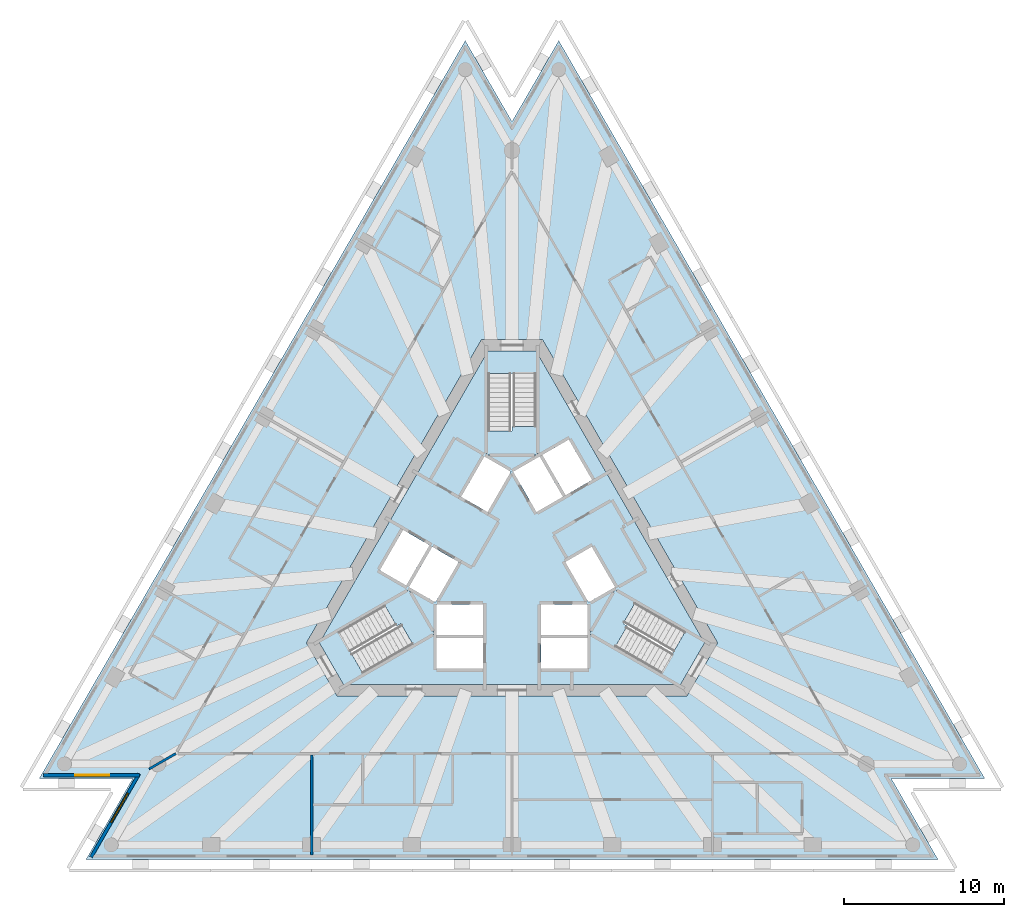
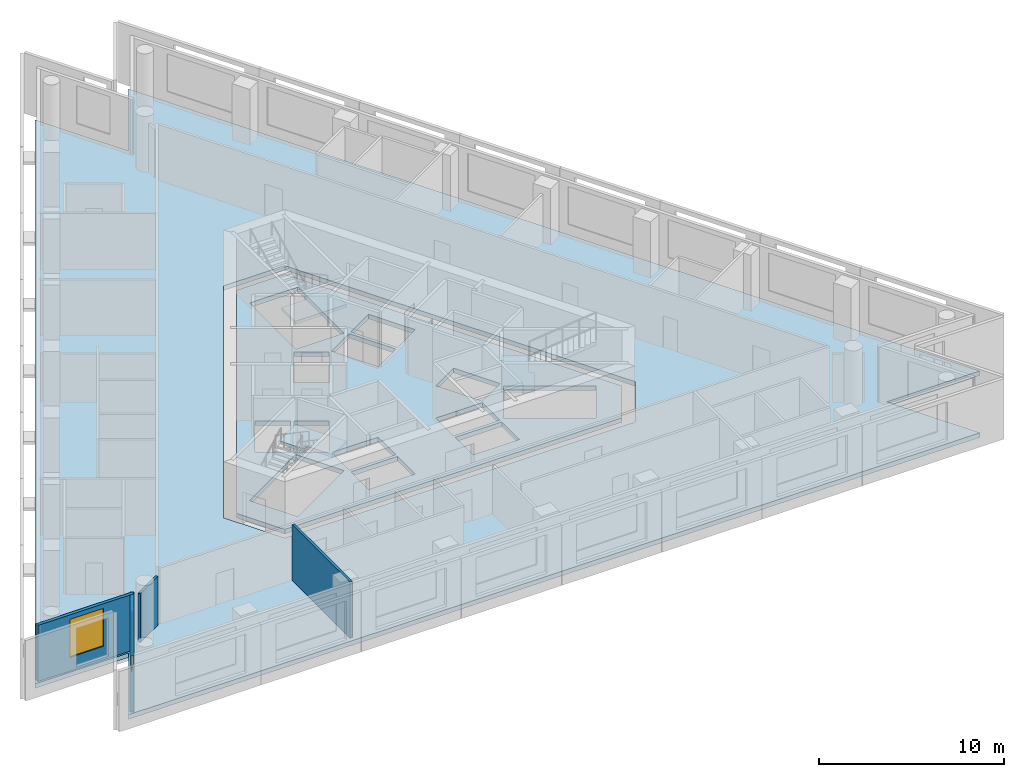
# One storey, part 2 of 10: 5 slabs, 4 walls, 2 windows, 2 openings, 3 elements without a shape of their own.
"""IFC4 building model written with IfcOpenShell, lengths in metres."""

from ifc_helpers import new_model, si_unit, direction, frame, frame_2d, origin, place, context, subcontext, project, spatial, polyline, rectangle, outline, extrude, material, layer, layer_set, layer_usage, type_object, element, fill, aggregate, save


model = new_model("IFC4")

# Units and contexts
model_context = context("Model", 3, precision=1e-05, world=origin(), true_north=direction((0.0, 1.0)))
body_context = subcontext(model_context, "Body", "Model", "MODEL_VIEW")
ifc_project = project(units=[si_unit("LENGTHUNIT", "METRE"), si_unit("AREAUNIT", "SQUARE_METRE"), si_unit("VOLUMEUNIT", "CUBIC_METRE"), si_unit("PLANEANGLEUNIT", "RADIAN"), si_unit("MASSUNIT", "GRAM", prefix="KILO")], contexts=[model_context])

# Site, building, storey
site_placement = place(None, origin())
site = spatial("IfcSite", under=ifc_project, at=site_placement, CompositionType="ELEMENT")
building_placement = place(site_placement, origin())
building = spatial("IfcBuilding", under=site, at=building_placement, Name="Triada Interchange Tower", CompositionType="ELEMENT")
storey_placement = place(building_placement, frame((0.0, 0.0, 191.300048828125)))
storey = spatial("IfcBuildingStorey", under=building, at=storey_placement, Name="L44", CompositionType="ELEMENT", Elevation=191.300048828125)

# Slabs
ifc_material_1 = material(Name="Concrete C50/60", Category="concrete")
ifc_layer_1 = layer(ifc_material_1, 0.300048828125)
ifc_layer_set_1 = layer_set([ifc_layer_1], Name="Floor slab 300")
slab_type_1 = type_object("IfcSlabType", Name="Floor slab 300", PredefinedType="FLOOR", material=ifc_layer_set_1)
slab_1_placement = place(storey_placement, frame((0.0, 0.0, -0.300048828125)))
element("IfcSlab", 1, at=slab_1_placement, inside=storey, type_object=slab_type_1, Name="Floor slab L44", PredefinedType="FLOOR", context=body_context, shape_type="SweptSolid", body=[
    extrude(outline(polyline([(-2.9140625, 32.342041015625), (-29.466064453125, -13.64697265625), (-23.637939453125, -13.64697265625), (-26.552001953125, -18.695068359375), (26.552001953125, -18.695068359375), (23.637939453125, -13.64697265625), (29.466064453125, -13.64697265625), (2.9140625, 32.342041015625), (0.0, 27.294921875), (-2.9140625, 32.342041015625)]), holes=[polyline([(1.905029296875, 13.699951171875), (-1.905029296875, 13.699951171875), (-12.81689453125, -5.199951171875), (-10.912109375, -8.5), (10.912109375, -8.5), (12.81689453125, -5.199951171875), (1.905029296875, 13.699951171875)])]), origin(), (0.0, 0.0, 1.0), 0.300048828125),
])
slab_2_placement = place(storey_placement, frame((0.0, 0.0, -0.300048828125)))
element("IfcSlab", 2, at=slab_2_placement, inside=storey, type_object=slab_type_1, Name="Core floor slab L44 1", PredefinedType="FLOOR", context=body_context, shape_type="SweptSolid", body=[
    extrude(outline(polyline([(12.009033203125, -5.199951171875), (10.508056640625, -7.800048828125), (-10.508056640625, -7.800048828125), (-12.009033203125, -5.199951171875), (-1.5009765625, 13.0), (1.5009765625, 13.0), (12.009033203125, -5.199951171875)]), holes=[polyline([(9.2958984375, -7.09912109375), (10.7958984375, -4.5009765625), (6.466064453125, -2.0009765625), (4.966064453125, -4.59912109375), (9.2958984375, -7.09912109375)]), polyline([(4.77490234375, -2.669921875), (6.419921875, -1.719970703125), (4.969970703125, 0.791015625), (4.137939453125, 0.31103515625), (3.324951171875, -0.158935546875), (4.77490234375, -2.669921875)]), polyline([(1.89404296875, 6.52001953125), (3.343994140625, 4.009033203125), (4.989013671875, 4.958984375), (3.5390625, 7.469970703125), (1.89404296875, 6.52001953125)]), polyline([(1.800048828125, -4.89990234375), (1.800048828125, -6.4990234375), (1.800048828125, -6.800048828125), (4.699951171875, -6.800048828125), (4.699951171875, -4.89990234375), (1.800048828125, -4.89990234375)]), polyline([(4.699951171875, -2.800048828125), (1.800048828125, -2.800048828125), (1.800048828125, -4.699951171875), (4.699951171875, -4.699951171875), (4.699951171875, -2.800048828125)]), polyline([(0.074951171875, 5.469970703125), (1.52490234375, 2.958984375), (3.169921875, 3.908935546875), (1.719970703125, 6.419921875), (0.074951171875, 5.469970703125)]), polyline([(-1.5, 11.60009765625), (-1.5, 6.60009765625), (1.5, 6.60009765625), (1.5, 11.60009765625), (-1.5, 11.60009765625)]), polyline([(-1.52490234375, 2.958984375), (-0.074951171875, 5.469970703125), (-1.719970703125, 6.419921875), (-3.169921875, 3.908935546875), (-1.52490234375, 2.958984375)]), polyline([(-1.800048828125, -2.800048828125), (-4.699951171875, -2.800048828125), (-4.699951171875, -4.699951171875), (-1.800048828125, -4.699951171875), (-1.800048828125, -2.800048828125)]), polyline([(-4.699951171875, -6.800048828125), (-1.800048828125, -6.800048828125), (-1.800048828125, -6.4990234375), (-1.800048828125, -4.89990234375), (-4.699951171875, -4.89990234375), (-4.699951171875, -6.800048828125)]), polyline([(-3.367919921875, -0.134033203125), (-4.969970703125, 0.791015625), (-6.419921875, -1.719970703125), (-4.77490234375, -2.669921875), (-3.324951171875, -0.158935546875), (-3.367919921875, -0.134033203125)]), polyline([(-10.7958984375, -4.5009765625), (-9.2958984375, -7.09912109375), (-4.966064453125, -4.59912109375), (-6.466064453125, -2.0009765625), (-10.7958984375, -4.5009765625)]), polyline([(-6.593994140625, -1.6201171875), (-5.14404296875, 0.89111328125), (-6.7890625, 1.841064453125), (-8.239013671875, -0.669921875), (-6.593994140625, -1.6201171875)])]), origin(), (0.0, 0.0, 1.0), 0.300048828125),
])

# Stair, slab
ifc_material_2 = material(Name="Concrete C35/45", Category="concrete")
stair_type = type_object("IfcStairType", Name="HALF TURN STAIR 1400", PredefinedType="HALF_TURN_STAIR", material=ifc_material_2)
stair_1_placement = place(storey_placement, origin())
stair_1 = element("IfcStair", 3, at=stair_1_placement, inside=storey, type_object=stair_type, Name="Exit stair S44-1", PredefinedType="HALF_TURN_STAIR")
ifc_layer_2 = layer(ifc_material_2, 0.199951171875)
ifc_layer_set_2 = layer_set([ifc_layer_2], Name="STAIR LANDING 200")
slab_type_2 = type_object("IfcSlabType", Name="STAIR LANDING 200", PredefinedType="LANDING", material=ifc_layer_set_2)
slab_3_placement = place(storey_placement, frame((0.0, 0.0, 1.719970703125)))
slab_3 = element("IfcSlab", 4, at=slab_3_placement, type_object=slab_type_2, Name="S44-1 landing 1", PredefinedType="LANDING", context=body_context, shape_type="SweptSolid", body=[
    extrude(outline(polyline([(1.60009765625, 6.5), (1.60009765625, 8.300048828125), (0.0, 8.300048828125), (0.0, 8.0), (-1.60009765625, 8.0), (-1.60009765625, 6.5), (1.60009765625, 6.5)])), origin(), (0.0, 0.0, 1.0), 0.199951171875),
])
aggregate(stair_1, [slab_3])

stair_2_placement = place(storey_placement, origin())
stair_2 = element("IfcStair", 5, at=stair_2_placement, inside=storey, type_object=stair_type, Name="Exit stair S44-2", PredefinedType="HALF_TURN_STAIR")
slab_4_placement = place(storey_placement, frame((0.0, 0.0, 1.719970703125)))
slab_4 = element("IfcSlab", 6, at=slab_4_placement, type_object=slab_type_2, Name="S44-2 landing 1", PredefinedType="LANDING", context=body_context, shape_type="SweptSolid", body=[
    extrude(outline(polyline([(-6.428955078125, -1.864013671875), (-7.988037109375, -2.763916015625), (-7.18798828125, -4.14990234375), (-6.927978515625, -4.0), (-6.1279296875, -5.385986328125), (-4.8291015625, -4.635986328125), (-6.428955078125, -1.864013671875)])), origin(), (0.0, 0.0, 1.0), 0.199951171875),
])
aggregate(stair_2, [slab_4])

stair_3_placement = place(storey_placement, origin())
stair_3 = element("IfcStair", 7, at=stair_3_placement, inside=storey, type_object=stair_type, Name="Exit stair S44-3", PredefinedType="HALF_TURN_STAIR")
slab_5_placement = place(storey_placement, frame((0.0, 0.0, 1.719970703125)))
slab_5 = element("IfcSlab", 8, at=slab_5_placement, type_object=slab_type_2, Name="S44-3 landing 1", PredefinedType="LANDING", context=body_context, shape_type="SweptSolid", body=[
    extrude(outline(polyline([(4.8291015625, -4.635986328125), (6.387939453125, -5.535888671875), (7.18798828125, -4.14990234375), (6.927978515625, -4.0), (7.72802734375, -2.614013671875), (6.428955078125, -1.864013671875), (4.8291015625, -4.635986328125)])), origin(), (0.0, 0.0, 1.0), 0.199951171875),
])
aggregate(stair_3, [slab_5])

# Wall, opening, window
ifc_material_3 = material(Name="Cement board")
ifc_layer_3 = layer(ifc_material_3, 0.02001953125, Name="Cement board cladding")
ifc_material_4 = material(Name="Sheathing board")
ifc_layer_4 = layer(ifc_material_4, 0.014892578125, Name="Sheathing board")
ifc_material_5 = material(Name="Mineral wool")
ifc_layer_5 = layer(ifc_material_5, 0.14990234375, Name="Mineral wool between steel studs")
ifc_material_6 = material(Name="Gypsum board")
ifc_layer_6 = layer(ifc_material_6, 0.014892578125, Name="Plasterboard lining")
ifc_layer_set_3 = layer_set([ifc_layer_3, ifc_layer_4, ifc_layer_5, ifc_layer_6], Name="External wall 200")
ifc_layer_usage = layer_usage(ifc_layer_set_3, "AXIS2", "POSITIVE", -0.10009765625)
wall_type_1 = type_object("IfcWallType", Name="External wall 200", PredefinedType="ELEMENTEDWALL", material=ifc_layer_set_3)
wall_1_placement = place(storey_placement, frame((-29.2099609375, -13.447021484375, 0.0), z_axis=(0.0, 0.0, 1.0), x_axis=(1.0, 0.0, 0.0)))
wall_1 = element("IfcWall", 9, at=wall_1_placement, inside=storey, type_object=wall_type_1, material=ifc_layer_usage, Name="External wall L44 SW-1", PredefinedType="ELEMENTEDWALL", context=body_context, shape_type="SweptSolid", body=[
    extrude(rectangle(XDim=5.988037109375, YDim=0.199951171875, at=frame_2d((2.994140625, 0.0))), origin(), (0.0, 0.0, 1.0), 3.699951171875),
])
opening_1_placement = place(wall_1_placement, frame((1.989990234375, 0.0, 0.89990234375)))
opening_1 = element("IfcOpeningElement", 10, at=opening_1_placement, cuts=wall_1, Name="Opening WC09", PredefinedType="OPENING", context=body_context, shape_type="SweptSolid", body=[
    extrude(rectangle(XDim=2.10009765625, YDim=2.5, at=frame_2d((1.050048828125, 1.25))), frame((0.0, 0.10986328125, 0.0), z_axis=(0.0, -1.0, 0.0), x_axis=(1.0, 0.0, 0.0)), (0.0, 0.0, 1.0), 0.219970703125),
])
ifc_material_7 = material(Name="Double glazed aluminium window", Category="aluminium")
window_type = type_object("IfcWindowType", Name="Ribbon window C pocket", PartitioningType="SINGLE_PANEL", PredefinedType="WINDOW", material=ifc_material_7)
window_1_placement = place(opening_1_placement, origin())
window_1 = element("IfcWindow", 11, at=window_1_placement, inside=storey, type_object=window_type, Name="Window L44 SW-1 1", OverallHeight=2.5, OverallWidth=2.10009765625, PartitioningType="SINGLE_PANEL", PredefinedType="WINDOW", context=body_context, shape_type="SweptSolid", body=[
    extrude(rectangle(XDim=2.10009765625, YDim=2.5, at=frame_2d((1.050048828125, 1.25))), frame((0.0, 0.030029296875, 0.0), z_axis=(0.0, -1.0, 0.0), x_axis=(1.0, 0.0, 0.0)), (0.0, 0.0, 1.0), 0.06005859375),
])
fill(opening_1, window_1)

wall_2_placement = place(storey_placement, frame((-23.2470703125, -13.368896484375, 0.0), z_axis=(0.0, 0.0, 1.0), x_axis=(-0.499896541353, -0.866085127423, 0.0)))
wall_2 = element("IfcWall", 12, at=wall_2_placement, inside=storey, type_object=wall_type_1, material=ifc_layer_usage, Name="External wall L44 SW-2", PredefinedType="ELEMENTEDWALL", context=body_context, shape_type="SweptSolid", body=[
    extrude(rectangle(XDim=5.989013671875, YDim=0.199951171875, at=frame_2d((2.99462890625, 0.0))), origin(), (0.0, 0.0, 1.0), 3.699951171875),
])
opening_2_placement = place(wall_2_placement, frame((1.389892578125, 0.0, 0.89990234375)))
opening_2 = element("IfcOpeningElement", 13, at=opening_2_placement, cuts=wall_2, Name="Opening WC10", PredefinedType="OPENING", context=body_context, shape_type="SweptSolid", body=[
    extrude(rectangle(XDim=2.10009765625, YDim=2.5, at=frame_2d((1.050048828125, 1.25))), frame((0.0, 0.10986328125, 0.0), z_axis=(0.0, -1.0, 0.0), x_axis=(1.0, 0.0, 0.0)), (0.0, 0.0, 1.0), 0.219970703125),
])
window_2_placement = place(opening_2_placement, origin())
window_2 = element("IfcWindow", 14, at=window_2_placement, inside=storey, type_object=window_type, Name="Window L44 SW-2 1", OverallHeight=2.5, OverallWidth=2.10009765625, PartitioningType="SINGLE_PANEL", PredefinedType="WINDOW", context=body_context, shape_type="SweptSolid", body=[
    extrude(rectangle(XDim=2.10009765625, YDim=2.5, at=frame_2d((1.050048828125, 1.25))), frame((0.0, 0.030029296875, 0.0), z_axis=(0.0, -1.0, 0.0), x_axis=(1.0, 0.0, 0.0)), (0.0, 0.0, 1.0), 0.06005859375),
])
fill(opening_2, window_2)

# Walls
ifc_material_8 = material(Name="Gypsum board partition")
ifc_layer_7 = layer(ifc_material_8, 0.14990234375)
ifc_layer_set_4 = layer_set([ifc_layer_7], Name="PARTITION 150 EI 180")
wall_type_2 = type_object("IfcWallType", Name="PARTITION 150 EI 180", PredefinedType="PARTITIONING", material=ifc_layer_set_4)
wall_3_placement = place(storey_placement, frame((-22.615966796875, -13.056884765625, 0.0), z_axis=(0.0, 0.0, 1.0), x_axis=(0.866030650962, 0.499990911512, 0.0)))
element("IfcWall", 15, at=wall_3_placement, inside=storey, type_object=wall_type_2, Name="Wall L44 1", PredefinedType="PARTITIONING", context=body_context, shape_type="SweptSolid", body=[
    extrude(rectangle(XDim=1.91552734375, YDim=0.14990234375, at=frame_2d((0.957763671875, 0.0))), origin(), (0.0, 0.0, 1.0), 3.199951171875),
])
wall_4_placement = place(storey_placement, frame((-12.49609375, -18.4150390625, 0.0), z_axis=(0.0, 0.0, 1.0), x_axis=(0.0, 1.0, 0.0)))
element("IfcWall", 16, at=wall_4_placement, inside=storey, type_object=wall_type_2, Name="Wall L44 13", PredefinedType="PARTITIONING", context=body_context, shape_type="SweptSolid", body=[
    extrude(rectangle(XDim=6.239990234375, YDim=0.14990234375, at=frame_2d((3.1201171875, 0.0))), origin(), (0.0, 0.0, 1.0), 3.699951171875),
])

save(model, "model.ifc")
